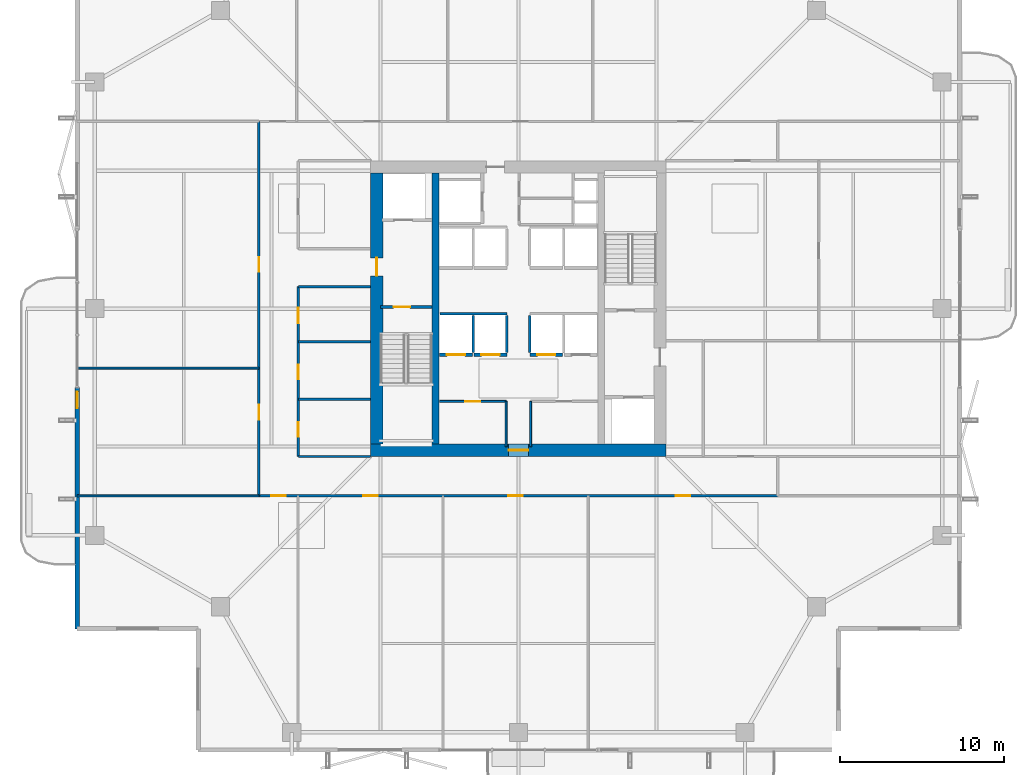
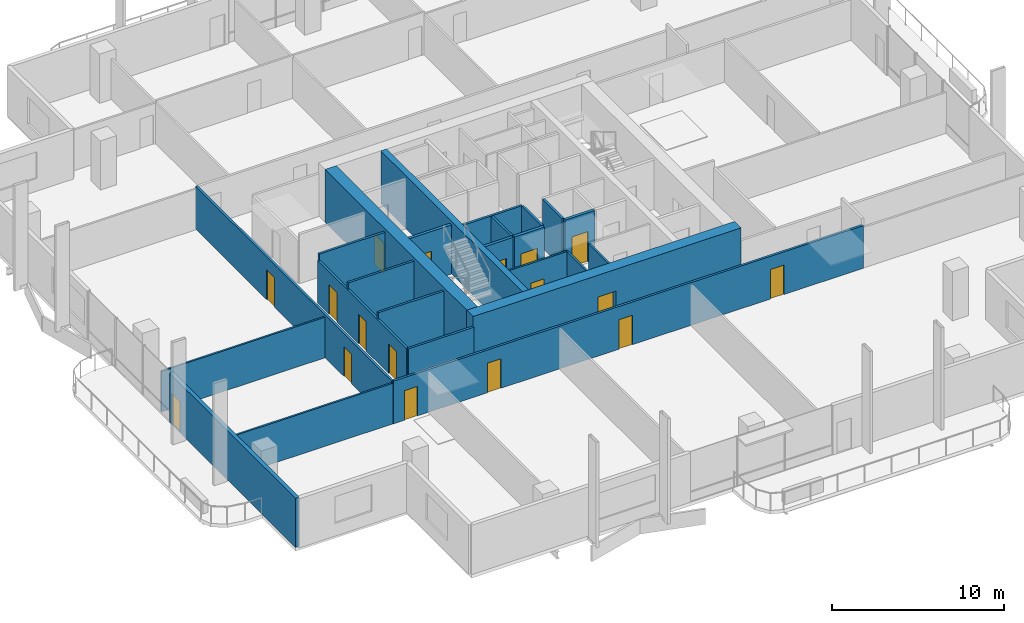
# One storey, part 17 of 24: 24 walls, 17 doors, 17 openings.
"""IFC4 building model written with IfcOpenShell, lengths in metres."""

from ifc_helpers import new_model, si_unit, direction, frame, frame_2d, origin, place, context, subcontext, project, spatial, rectangle, extrude, material, layer, layer_set, type_object, element, fill, save


model = new_model("IFC4")

# Units and contexts
model_context = context("Model", 3, precision=1e-05, world=origin(), true_north=direction((0.0, 1.0)))
body_context = subcontext(model_context, "Body", "Model", "MODEL_VIEW")
ifc_project = project(units=[si_unit("LENGTHUNIT", "METRE"), si_unit("AREAUNIT", "SQUARE_METRE"), si_unit("VOLUMEUNIT", "CUBIC_METRE"), si_unit("PLANEANGLEUNIT", "RADIAN"), si_unit("MASSUNIT", "GRAM", prefix="KILO")], contexts=[model_context])

# Site, building, storey
site_placement = place(None, origin())
site = spatial("IfcSite", under=ifc_project, at=site_placement, CompositionType="ELEMENT")
building_placement = place(site_placement, origin())
building = spatial("IfcBuilding", under=site, at=building_placement, Name="Belovzor Exchange Tower", CompositionType="ELEMENT")
storey_placement = place(building_placement, frame((0.0, 0.0, 233.699951171875)))
storey = spatial("IfcBuildingStorey", under=building, at=storey_placement, Name="L58", CompositionType="ELEMENT", Elevation=233.699951171875)

# Walls
ifc_material_1 = material(Name="Acoustic Plasterboard on Galvanised Studs", Category="gypsum")
ifc_layer_1 = layer(ifc_material_1, 0.1201171875)
ifc_layer_set_1 = layer_set([ifc_layer_1], Name="Acoustic Plasterboard on Galvanised Studs")
wall_type_1 = type_object("IfcWallType", Name="Acoustic Double-Stud Partition Wall 120", PredefinedType="PARTITIONING", material=ifc_layer_set_1)
for number, where, z_axis, x_axis, name in (
    (1, (1.929931640625, 25.181884765625, 0.0), (0.0, 0.0, 1.0), (1.0, 0.0, 0.0), "W-P120 Partition Wall W-L58-WDIV-1"),
    (2, (1.929931640625, 17.39990234375, 0.0), (0.0, 0.0, 1.0), (1.0, 0.0, 0.0), "W-P120 Partition Wall W-L58-END-SW"),
):
    element("IfcWall", number, at=place(storey_placement, frame(where, z_axis=z_axis, x_axis=x_axis)), inside=storey, type_object=wall_type_1, Name=name, PredefinedType="PARTITIONING", context=body_context, shape_type="SweptSolid", body=[
        extrude(rectangle(XDim=11.070068359375, YDim=0.1201171875, at=frame_2d((5.53515625, 0.0))), origin(), (0.0, 0.0, 1.0), 2.885009765625),
    ])

# Wall, opening, door
ifc_material_2 = material(Name="Fire-Rated Plasterboard on Galvanised Studs", Category="gypsum")
ifc_layer_2 = layer(ifc_material_2, 0.1201171875)
ifc_layer_set_2 = layer_set([ifc_layer_2], Name="Fire-Rated Plasterboard on Galvanised Studs")
wall_type_2 = type_object("IfcWallType", Name="Fire-Rated Double-Stud Partition Wall 120", PredefinedType="PARTITIONING", material=ifc_layer_set_2)
wall_1_placement = place(storey_placement, frame((24.0, 23.14990234375, 0.0), z_axis=(0.0, 0.0, 1.0), x_axis=(1.0, 0.0, 0.0)))
wall_1 = element("IfcWall", 3, at=wall_1_placement, inside=storey, type_object=wall_type_2, Name="W-P120F Partition Wall W-CRL-L58-WN", PredefinedType="PARTITIONING", context=body_context, shape_type="SweptSolid", body=[
    extrude(rectangle(XDim=4.050048828125, YDim=0.1201171875, at=frame_2d((2.02490234375, 0.0))), origin(), (0.0, 0.0, 1.0), 3.5),
])
opening_1_placement = place(wall_1_placement, frame((1.574951171875, 0.0, 0.0)))
opening_1 = element("IfcOpeningElement", 4, at=opening_1_placement, cuts=wall_1, Name="Opening D-FD60-090", PredefinedType="OPENING", context=body_context, shape_type="SweptSolid", body=[
    extrude(rectangle(XDim=0.89990234375, YDim=2.10009765625, at=frame_2d((0.449951171875, 1.050048828125))), frame((0.0, 0.070068359375, 0.0), z_axis=(0.0, -1.0, 0.0), x_axis=(1.0, 0.0, 0.0)), (0.0, 0.0, 1.0), 0.14013671875),
])
ifc_material_3 = material(Name="Acoustic Timber Fire Leaf", Category="wood")
door_type_1 = type_object("IfcDoorType", Name="Core Service & Restroom Fire Door 900x2100", OperationType="NOTDEFINED", PredefinedType="DOOR", material=ifc_material_3)
door_1_placement = place(opening_1_placement, origin())
door_1 = element("IfcDoor", 5, at=door_1_placement, inside=storey, type_object=door_type_1, Name="D-FD60-090 Core Service & Restroom Fire Door 900x2100", OperationType="SINGLE_SWING_LEFT", OverallHeight=2.10009765625, OverallWidth=0.89990234375, PredefinedType="DOOR", context=body_context, shape_type="SweptSolid", body=[
    extrude(rectangle(XDim=0.89990234375, YDim=2.10009765625, at=frame_2d((0.449951171875, 1.050048828125))), frame((0.0, 0.02490234375, 0.0), z_axis=(0.0, -1.0, 0.0), x_axis=(1.0, 0.0, 0.0)), (0.0, 0.0, 1.0), 0.050048828125),
])
fill(opening_1, door_1)

# Walls
for number, where, z_axis, x_axis, name in (
    (6, (28.050048828125, 20.39990234375, 0.0), (0.0, 0.0, 1.0), (0.0, 1.0, 0.0), "W-P120F Partition Wall W-CRL-L58-WE"),
    (7, (29.550048828125, 20.39990234375, 0.0), (0.0, 0.0, 1.0), (0.0, 1.0, 0.0), "W-P120F Partition Wall W-CRL-L58-EW"),
):
    element("IfcWall", number, at=place(storey_placement, frame(where, z_axis=z_axis, x_axis=x_axis)), inside=storey, type_object=wall_type_2, Name=name, PredefinedType="PARTITIONING", context=body_context, shape_type="SweptSolid", body=[
        extrude(rectangle(XDim=2.75, YDim=0.1201171875, at=frame_2d((1.375, 0.0))), origin(), (0.0, 0.0, 1.0), 3.5),
    ])
ifc_material_4 = material(Name="Fire-Rated Gypsum Block and Mineral Wool", Category="gypsum")
ifc_layer_3 = layer(ifc_material_4, 0.14990234375)
ifc_layer_set_3 = layer_set([ifc_layer_3], Name="Fire-Rated Gypsum Block and Mineral Wool")
wall_type_3 = type_object("IfcWallType", Name="Fire-Rated Gypsum Block Corridor Wall 150", PredefinedType="PARTITIONING", material=ifc_layer_set_3)
wall_2_placement = place(storey_placement, frame((15.39990234375, 19.800048828125, 0.0), z_axis=(0.0, 0.0, 1.0), x_axis=(1.0, 0.0, 0.0)))
element("IfcWall", 8, at=wall_2_placement, inside=storey, type_object=wall_type_3, Name="W-P150 Partition Wall W-L58-WIC-S", PredefinedType="PARTITIONING", context=body_context, shape_type="SweptSolid", body=[
    extrude(rectangle(XDim=4.400146484375, YDim=0.14990234375, at=frame_2d((2.2001953125, 0.0))), origin(), (0.0, 0.0, 1.0), 3.03515625),
])
for number, where, z_axis, x_axis, name in (
    (9, (15.39990234375, 23.27490234375, 0.0), (0.0, 0.0, 1.0), (1.0, 0.0, 0.0), "W-P150 Partition Wall W-L58-WIC-D1"),
    (10, (15.39990234375, 26.77490234375, 0.0), (0.0, 0.0, 1.0), (1.0, 0.0, 0.0), "W-P150 Partition Wall W-L58-WIC-D2"),
    (11, (15.39990234375, 30.14990234375, 0.0), (0.0, 0.0, 1.0), (1.0, 0.0, 0.0), "W-P150 Partition Wall W-L58-WIC-N"),
):
    element("IfcWall", number, at=place(storey_placement, frame(where, z_axis=z_axis, x_axis=x_axis)), inside=storey, type_object=wall_type_3, Name=name, PredefinedType="PARTITIONING", context=body_context, shape_type="SweptSolid", body=[
        extrude(rectangle(XDim=4.400146484375, YDim=0.14990234375, at=frame_2d((2.2001953125, 0.0))), origin(), (0.0, 0.0, 1.0), 3.5),
    ])

# Wall, openings, doors
wall_3_placement = place(storey_placement, frame((15.39990234375, 19.800048828125, 0.0), z_axis=(0.0, 0.0, 1.0), x_axis=(0.0, 1.0, 0.0)))
wall_3 = element("IfcWall", 12, at=wall_3_placement, inside=storey, type_object=wall_type_3, Name="W-P150 Partition Wall W-L58-WIE-S", PredefinedType="PARTITIONING", context=body_context, shape_type="SweptSolid", body=[
    extrude(rectangle(XDim=10.349853515625, YDim=0.14990234375, at=frame_2d((5.1748046875, 0.0))), origin(), (0.0, 0.0, 1.0), 3.03515625),
])
opening_2_placement = place(wall_3_placement, frame((1.199951171875, 0.0, 0.0)))
opening_2 = element("IfcOpeningElement", 13, at=opening_2_placement, cuts=wall_3, Name="Opening D-FD60-090", PredefinedType="OPENING", context=body_context, shape_type="SweptSolid", body=[
    extrude(rectangle(XDim=0.89990234375, YDim=2.10009765625, at=frame_2d((0.449951171875, 1.050048828125))), frame((0.0, 0.0849609375, 0.0), z_axis=(0.0, -1.0, 0.0), x_axis=(1.0, 0.0, 0.0)), (0.0, 0.0, 1.0), 0.169921875),
])
opening_3_placement = place(wall_3_placement, frame((4.699951171875, 0.0, 0.0)))
opening_3 = element("IfcOpeningElement", 14, at=opening_3_placement, cuts=wall_3, Name="Opening D-FD60-090", PredefinedType="OPENING", context=body_context, shape_type="SweptSolid", body=[
    extrude(rectangle(XDim=0.89990234375, YDim=2.10009765625, at=frame_2d((0.449951171875, 1.050048828125))), frame((0.0, 0.0849609375, 0.0), z_axis=(0.0, -1.0, 0.0), x_axis=(1.0, 0.0, 0.0)), (0.0, 0.0, 1.0), 0.169921875),
])
opening_4_placement = place(wall_3_placement, frame((8.10009765625, 0.0, 0.0)))
opening_4 = element("IfcOpeningElement", 15, at=opening_4_placement, cuts=wall_3, Name="Opening D-FD60-095", PredefinedType="OPENING", context=body_context, shape_type="SweptSolid", body=[
    extrude(rectangle(XDim=0.949951171875, YDim=2.10009765625, at=frame_2d((0.47509765625, 1.050048828125))), frame((0.0, 0.0849609375, 0.0), z_axis=(0.0, -1.0, 0.0), x_axis=(1.0, 0.0, 0.0)), (0.0, 0.0, 1.0), 0.169921875),
])
ifc_material_5 = material(Name="Moisture-Resistant Timber Fire Leaf", Category="wood")
door_type_2 = type_object("IfcDoorType", Name="Accessible Restroom Wide Fire Door 950x2100", OperationType="NOTDEFINED", PredefinedType="DOOR", material=ifc_material_5)
door_2_placement = place(opening_4_placement, origin())
door_2 = element("IfcDoor", 16, at=door_2_placement, inside=storey, type_object=door_type_2, Name="D-FD60-095 Accessible Restroom Wide Fire Door 950x2100", OperationType="SINGLE_SWING_LEFT", OverallHeight=2.10009765625, OverallWidth=0.949951171875, PredefinedType="DOOR", context=body_context, shape_type="SweptSolid", body=[
    extrude(rectangle(XDim=0.949951171875, YDim=2.10009765625, at=frame_2d((0.47509765625, 1.050048828125))), frame((0.0, 0.02490234375, 0.0), z_axis=(0.0, -1.0, 0.0), x_axis=(1.0, 0.0, 0.0)), (0.0, 0.0, 1.0), 0.050048828125),
])
fill(opening_4, door_2)
door_3_placement = place(opening_2_placement, origin())
door_3 = element("IfcDoor", 17, at=door_3_placement, inside=storey, type_object=door_type_1, Name="D-FD60-090 Core Service & Restroom Fire Door 900x2100", OperationType="SINGLE_SWING_LEFT", OverallHeight=2.10009765625, OverallWidth=0.89990234375, PredefinedType="DOOR", context=body_context, shape_type="SweptSolid", body=[
    extrude(rectangle(XDim=0.89990234375, YDim=2.10009765625, at=frame_2d((0.449951171875, 1.050048828125))), frame((0.0, 0.02490234375, 0.0), z_axis=(0.0, -1.0, 0.0), x_axis=(1.0, 0.0, 0.0)), (0.0, 0.0, 1.0), 0.050048828125),
])
fill(opening_2, door_3)
door_4_placement = place(opening_3_placement, origin())
door_4 = element("IfcDoor", 18, at=door_4_placement, inside=storey, type_object=door_type_1, Name="D-FD60-090 Core Service & Restroom Fire Door 900x2100", OperationType="SINGLE_SWING_RIGHT", OverallHeight=2.10009765625, OverallWidth=0.89990234375, PredefinedType="DOOR", context=body_context, shape_type="SweptSolid", body=[
    extrude(rectangle(XDim=0.89990234375, YDim=2.10009765625, at=frame_2d((0.449951171875, 1.050048828125))), frame((0.0, 0.02490234375, 0.0), z_axis=(0.0, -1.0, 0.0), x_axis=(1.0, 0.0, 0.0)), (0.0, 0.0, 1.0), 0.050048828125),
])
fill(opening_3, door_4)

wall_4_placement = place(storey_placement, frame((13.0, 17.39990234375, 0.0), z_axis=(0.0, 0.0, 1.0), x_axis=(1.0, 0.0, 0.0)))
wall_4 = element("IfcWall", 19, at=wall_4_placement, inside=storey, type_object=wall_type_3, Name="W-P150 Partition Wall W-L58-CS", PredefinedType="PARTITIONING", context=body_context, shape_type="SweptSolid", body=[
    extrude(rectangle(XDim=31.60009765625, YDim=0.14990234375, at=frame_2d((15.800048828125, 0.0))), origin(), (0.0, 0.0, 1.0), 3.03515625),
])
opening_5_placement = place(wall_4_placement, frame((0.739013671875, 0.0, 0.0)))
opening_5 = element("IfcOpeningElement", 20, at=opening_5_placement, cuts=wall_4, Name="Opening D-INT-090", PredefinedType="OPENING", context=body_context, shape_type="SweptSolid", body=[
    extrude(rectangle(XDim=0.89990234375, YDim=2.10009765625, at=frame_2d((0.449951171875, 1.050048828125))), frame((0.0, 0.0849609375, 0.0), z_axis=(0.0, -1.0, 0.0), x_axis=(1.0, 0.0, 0.0)), (0.0, 0.0, 1.0), 0.169921875),
])
opening_6_placement = place(wall_4_placement, frame((6.343994140625, 0.0, 0.0)))
opening_6 = element("IfcOpeningElement", 21, at=opening_6_placement, cuts=wall_4, Name="Opening D-INT-090", PredefinedType="OPENING", context=body_context, shape_type="SweptSolid", body=[
    extrude(rectangle(XDim=0.89990234375, YDim=2.10009765625, at=frame_2d((0.449951171875, 1.050048828125))), frame((0.0, 0.0849609375, 0.0), z_axis=(0.0, -1.0, 0.0), x_axis=(1.0, 0.0, 0.0)), (0.0, 0.0, 1.0), 0.169921875),
])
opening_7_placement = place(wall_4_placement, frame((15.174072265625, 0.0, 0.0)))
opening_7 = element("IfcOpeningElement", 22, at=opening_7_placement, cuts=wall_4, Name="Opening D-INT-090", PredefinedType="OPENING", context=body_context, shape_type="SweptSolid", body=[
    extrude(rectangle(XDim=0.89990234375, YDim=2.10009765625, at=frame_2d((0.449951171875, 1.050048828125))), frame((0.0, 0.0849609375, 0.0), z_axis=(0.0, -1.0, 0.0), x_axis=(1.0, 0.0, 0.0)), (0.0, 0.0, 1.0), 0.169921875),
])
opening_8_placement = place(wall_4_placement, frame((25.3701171875, 0.0, 0.0)))
opening_8 = element("IfcOpeningElement", 23, at=opening_8_placement, cuts=wall_4, Name="Opening D-INT-090", PredefinedType="OPENING", context=body_context, shape_type="SweptSolid", body=[
    extrude(rectangle(XDim=0.89990234375, YDim=2.10009765625, at=frame_2d((0.449951171875, 1.050048828125))), frame((0.0, 0.0849609375, 0.0), z_axis=(0.0, -1.0, 0.0), x_axis=(1.0, 0.0, 0.0)), (0.0, 0.0, 1.0), 0.169921875),
])
ifc_material_6 = material(Name="Veneered Hardwood Acoustic Leaf", Category="wood")
door_type_3 = type_object("IfcDoorType", Name="Trading Suite Acoustic Single Door 900x2100", OperationType="NOTDEFINED", PredefinedType="DOOR", material=ifc_material_6)
door_5_placement = place(opening_5_placement, origin())
door_5 = element("IfcDoor", 24, at=door_5_placement, inside=storey, type_object=door_type_3, Name="D-INT-090 Trading Suite Acoustic Single Door 900x2100", OperationType="SINGLE_SWING_LEFT", OverallHeight=2.10009765625, OverallWidth=0.89990234375, PredefinedType="DOOR", context=body_context, shape_type="SweptSolid", body=[
    extrude(rectangle(XDim=0.89990234375, YDim=2.10009765625, at=frame_2d((0.449951171875, 1.050048828125))), frame((0.0, 0.02490234375, 0.0), z_axis=(0.0, -1.0, 0.0), x_axis=(1.0, 0.0, 0.0)), (0.0, 0.0, 1.0), 0.050048828125),
])
fill(opening_5, door_5)
door_6_placement = place(opening_6_placement, origin())
door_6 = element("IfcDoor", 25, at=door_6_placement, inside=storey, type_object=door_type_3, Name="D-INT-090 Trading Suite Acoustic Single Door 900x2100", OperationType="SINGLE_SWING_RIGHT", OverallHeight=2.10009765625, OverallWidth=0.89990234375, PredefinedType="DOOR", context=body_context, shape_type="SweptSolid", body=[
    extrude(rectangle(XDim=0.89990234375, YDim=2.10009765625, at=frame_2d((0.449951171875, 1.050048828125))), frame((0.0, 0.02490234375, 0.0), z_axis=(0.0, -1.0, 0.0), x_axis=(1.0, 0.0, 0.0)), (0.0, 0.0, 1.0), 0.050048828125),
])
fill(opening_6, door_6)
door_7_placement = place(opening_7_placement, origin())
door_7 = element("IfcDoor", 26, at=door_7_placement, inside=storey, type_object=door_type_3, Name="D-INT-090 Trading Suite Acoustic Single Door 900x2100", OperationType="SINGLE_SWING_LEFT", OverallHeight=2.10009765625, OverallWidth=0.89990234375, PredefinedType="DOOR", context=body_context, shape_type="SweptSolid", body=[
    extrude(rectangle(XDim=0.89990234375, YDim=2.10009765625, at=frame_2d((0.449951171875, 1.050048828125))), frame((0.0, 0.02490234375, 0.0), z_axis=(0.0, -1.0, 0.0), x_axis=(1.0, 0.0, 0.0)), (0.0, 0.0, 1.0), 0.050048828125),
])
fill(opening_7, door_7)
door_8_placement = place(opening_8_placement, origin())
door_8 = element("IfcDoor", 27, at=door_8_placement, inside=storey, type_object=door_type_3, Name="D-INT-090 Trading Suite Acoustic Single Door 900x2100", OperationType="SINGLE_SWING_RIGHT", OverallHeight=2.10009765625, OverallWidth=0.89990234375, PredefinedType="DOOR", context=body_context, shape_type="SweptSolid", body=[
    extrude(rectangle(XDim=0.89990234375, YDim=2.10009765625, at=frame_2d((0.449951171875, 1.050048828125))), frame((0.0, 0.02490234375, 0.0), z_axis=(0.0, -1.0, 0.0), x_axis=(1.0, 0.0, 0.0)), (0.0, 0.0, 1.0), 0.050048828125),
])
fill(opening_8, door_8)

wall_5_placement = place(storey_placement, frame((13.0, 17.39990234375, 0.0), z_axis=(0.0, 0.0, 1.0), x_axis=(0.0, 1.0, 0.0)))
wall_5 = element("IfcWall", 28, at=wall_5_placement, inside=storey, type_object=wall_type_3, Name="W-P150 Partition Wall W-L58-CWO", PredefinedType="PARTITIONING", context=body_context, shape_type="SweptSolid", body=[
    extrude(rectangle(XDim=22.800048828125, YDim=0.14990234375, at=frame_2d((11.39990234375, 0.0))), origin(), (0.0, 0.0, 1.0), 3.03515625),
])
opening_9_placement = place(wall_5_placement, frame((4.64111328125, 0.0, 0.0)))
opening_9 = element("IfcOpeningElement", 29, at=opening_9_placement, cuts=wall_5, Name="Opening D-INT-090", PredefinedType="OPENING", context=body_context, shape_type="SweptSolid", body=[
    extrude(rectangle(XDim=0.89990234375, YDim=2.10009765625, at=frame_2d((0.449951171875, 1.050048828125))), frame((0.0, 0.0849609375, 0.0), z_axis=(0.0, -1.0, 0.0), x_axis=(1.0, 0.0, 0.0)), (0.0, 0.0, 1.0), 0.169921875),
])
opening_10_placement = place(wall_5_placement, frame((13.64111328125, 0.0, 0.0)))
opening_10 = element("IfcOpeningElement", 30, at=opening_10_placement, cuts=wall_5, Name="Opening D-INT-090", PredefinedType="OPENING", context=body_context, shape_type="SweptSolid", body=[
    extrude(rectangle(XDim=0.89990234375, YDim=2.10009765625, at=frame_2d((0.449951171875, 1.050048828125))), frame((0.0, 0.0849609375, 0.0), z_axis=(0.0, -1.0, 0.0), x_axis=(1.0, 0.0, 0.0)), (0.0, 0.0, 1.0), 0.169921875),
])
door_9_placement = place(opening_9_placement, origin())
door_9 = element("IfcDoor", 31, at=door_9_placement, inside=storey, type_object=door_type_3, Name="D-INT-090 Trading Suite Acoustic Single Door 900x2100", OperationType="SINGLE_SWING_LEFT", OverallHeight=2.10009765625, OverallWidth=0.89990234375, PredefinedType="DOOR", context=body_context, shape_type="SweptSolid", body=[
    extrude(rectangle(XDim=0.89990234375, YDim=2.10009765625, at=frame_2d((0.449951171875, 1.050048828125))), frame((0.0, 0.02490234375, 0.0), z_axis=(0.0, -1.0, 0.0), x_axis=(1.0, 0.0, 0.0)), (0.0, 0.0, 1.0), 0.050048828125),
])
fill(opening_9, door_9)
door_10_placement = place(opening_10_placement, origin())
door_10 = element("IfcDoor", 32, at=door_10_placement, inside=storey, type_object=door_type_3, Name="D-INT-090 Trading Suite Acoustic Single Door 900x2100", OperationType="SINGLE_SWING_LEFT", OverallHeight=2.10009765625, OverallWidth=0.89990234375, PredefinedType="DOOR", context=body_context, shape_type="SweptSolid", body=[
    extrude(rectangle(XDim=0.89990234375, YDim=2.10009765625, at=frame_2d((0.449951171875, 1.050048828125))), frame((0.0, 0.02490234375, 0.0), z_axis=(0.0, -1.0, 0.0), x_axis=(1.0, 0.0, 0.0)), (0.0, 0.0, 1.0), 0.050048828125),
])
fill(opening_10, door_10)

# Wall, opening, door
ifc_material_7 = material(Name="Precast concrete C40/50", Category="concrete")
ifc_layer_4 = layer(ifc_material_7, 0.260009765625)
ifc_layer_set_4 = layer_set([ifc_layer_4], Name="Precast concrete C40/50")
wall_type_4 = type_object("IfcWallType", Name="Precast Concrete Perimeter Loggia Frame Wall 260", PredefinedType="SOLIDWALL", material=ifc_layer_set_4)
wall_6_placement = place(storey_placement, frame((1.929931640625, 9.300048828125, 0.0), z_axis=(0.0, 0.0, 1.0), x_axis=(0.0, 1.0, 0.0)))
wall_6 = element("IfcWall", 33, at=wall_6_placement, inside=storey, type_object=wall_type_4, Name="W-EXT260 Precast Concrete Perimeter Loggia Frame Wall 260 L58", PredefinedType="SOLIDWALL", context=body_context, shape_type="SweptSolid", body=[
    extrude(rectangle(XDim=14.699951171875, YDim=0.260009765625, at=frame_2d((7.35009765625, 0.0))), origin(), (0.0, 0.0, 1.0), 3.5),
])
opening_11_placement = place(wall_6_placement, frame((13.449951171875, 0.0, 0.0)))
opening_11 = element("IfcOpeningElement", 34, at=opening_11_placement, cuts=wall_6, Name="Opening D-BAL100", PredefinedType="OPENING", context=body_context, shape_type="SweptSolid", body=[
    extrude(rectangle(XDim=1.0, YDim=2.199951171875, at=frame_2d((0.5, 1.10009765625))), frame((0.0, 0.139892578125, 0.0), z_axis=(0.0, -1.0, 0.0), x_axis=(1.0, 0.0, 0.0)), (0.0, 0.0, 1.0), 0.280029296875),
])
ifc_material_8 = material(Name="Thermally Broken Anodised Aluminium and Laminated Glass", Category="aluminium")
door_type_4 = type_object("IfcDoorType", Name="Planted Loggia Terrace Glazed Door 1000x2200", OperationType="SINGLE_SWING_LEFT", PredefinedType="DOOR", material=ifc_material_8)
door_11_placement = place(opening_11_placement, origin())
door_11 = element("IfcDoor", 35, at=door_11_placement, inside=storey, type_object=door_type_4, Name="D-BAL100 Balcony Terrace Door L58 W", OperationType="SINGLE_SWING_RIGHT", OverallHeight=2.199951171875, OverallWidth=1.0, PredefinedType="DOOR", context=body_context, shape_type="SweptSolid", body=[
    extrude(rectangle(XDim=1.0, YDim=2.199951171875, at=frame_2d((0.5, 1.10009765625))), frame((0.0, 0.02490234375, 0.0), z_axis=(0.0, -1.0, 0.0), x_axis=(1.0, 0.0, 0.0)), (0.0, 0.0, 1.0), 0.050048828125),
])
fill(opening_11, door_11)

# Walls
ifc_material_9 = material(Name="Concrete C50/60", Category="concrete")
ifc_layer_5 = layer(ifc_material_9, 0.39990234375)
ifc_layer_set_5 = layer_set([ifc_layer_5], Name="Concrete C50/60")
wall_type_5 = type_object("IfcWallType", Name="Reinforced Concrete Core Internal Web Wall 400", PredefinedType="SHEAR", material=ifc_layer_set_5)
wall_7_placement = place(storey_placement, frame((23.75, 20.550048828125, 0.0), z_axis=(0.0, 0.0, 1.0), x_axis=(0.0, 1.0, 0.0)))
element("IfcWall", 36, at=wall_7_placement, inside=storey, type_object=wall_type_5, Name="CW-W040 Core Internal Web Wall L58 WL", PredefinedType="SHEAR", context=body_context, shape_type="SweptSolid", body=[
    extrude(rectangle(XDim=16.5, YDim=0.39990234375, at=frame_2d((8.25, 0.0))), origin(), (0.0, 0.0, 1.0), 3.75),
])
ifc_material_10 = material(Name="Concrete C50/60", Category="concrete")
ifc_layer_6 = layer(ifc_material_10, 0.14990234375)
ifc_layer_set_6 = layer_set([ifc_layer_6], Name="Concrete C50/60")
wall_type_6 = type_object("IfcWallType", Name="Reinforced Concrete Core Riser Shear Wall 150", PredefinedType="SHEAR", material=ifc_layer_set_6)
wall_8_placement = place(storey_placement, frame((24.02001953125, 28.5, 0.0), z_axis=(0.0, 0.0, 1.0), x_axis=(1.0, 0.0, 0.0)))
element("IfcWall", 37, at=wall_8_placement, inside=storey, type_object=wall_type_6, Name="W-C150S Core Shaft Wall W-SHB-L58-PLM-NW", PredefinedType="SHEAR", context=body_context, shape_type="SweptSolid", body=[
    extrude(rectangle(XDim=4.080078125, YDim=0.14990234375, at=frame_2d((2.0400390625, 0.0))), origin(), (0.0, 0.0, 1.0), 3.5),
])
for number, where, z_axis, x_axis, name in (
    (38, (26.050048828125, 26.1201171875, 0.0), (0.0, 0.0, 1.0), (0.0, 1.0, 0.0), "W-C150S Core Shaft Wall W-SHD-L58-PLM-1"),
    (39, (28.10009765625, 26.1201171875, 0.0), (0.0, 0.0, 1.0), (0.0, 1.0, 0.0), "W-C150S Core Shaft Wall W-SHD-L58-PLM-2"),
    (40, (29.5, 26.1201171875, 0.0), (0.0, 0.0, 1.0), (0.0, 1.0, 0.0), "W-C150S Core Shaft Wall W-SHD-L58-PLM-3"),
):
    element("IfcWall", number, at=place(storey_placement, frame(where, z_axis=z_axis, x_axis=x_axis)), inside=storey, type_object=wall_type_6, Name=name, PredefinedType="SHEAR", context=body_context, shape_type="SweptSolid", body=[
        extrude(rectangle(XDim=2.27978515625, YDim=0.14990234375, at=frame_2d((1.139892578125, 0.0))), origin(), (0.0, 0.0, 1.0), 3.5),
    ])

# Wall, opening, door
ifc_material_11 = material(Name="Concrete C50/60", Category="concrete")
ifc_layer_7 = layer(ifc_material_11, 0.199951171875)
ifc_layer_set_7 = layer_set([ifc_layer_7], Name="Concrete C50/60")
wall_type_7 = type_object("IfcWallType", Name="Reinforced Concrete Core Shaft Shear Wall 200", PredefinedType="SHEAR", material=ifc_layer_set_7)
wall_9_placement = place(storey_placement, frame((20.39990234375, 28.89990234375, 0.0), z_axis=(0.0, 0.0, 1.0), x_axis=(1.0, 0.0, 0.0)))
wall_9 = element("IfcWall", 41, at=wall_9_placement, inside=storey, type_object=wall_type_7, Name="W-C200S Core Shaft Wall W-CORE-L58-FFLW1", PredefinedType="SHEAR", context=body_context, shape_type="SweptSolid", body=[
    extrude(rectangle(XDim=3.150146484375, YDim=0.199951171875, at=frame_2d((1.5751953125, 0.0))), origin(), (0.0, 0.0, 1.0), 3.5),
])
opening_12_placement = place(wall_9_placement, frame((0.800048828125, 0.0, 0.0)))
opening_12 = element("IfcOpeningElement", 42, at=opening_12_placement, cuts=wall_9, Name="Opening D-FD90-100", PredefinedType="OPENING", context=body_context, shape_type="SweptSolid", body=[
    extrude(rectangle(XDim=1.0, YDim=2.10009765625, at=frame_2d((0.5, 1.050048828125))), frame((0.0, 0.10986328125, 0.0), z_axis=(0.0, -1.0, 0.0), x_axis=(1.0, 0.0, 0.0)), (0.0, 0.0, 1.0), 0.219970703125),
])
ifc_material_12 = material(Name="Fire-Rated Galvanised Steel Leaf", Category="steel")
door_type_5 = type_object("IfcDoorType", Name="Protected Stairwell Single Fire Door 1000x2100", OperationType="NOTDEFINED", PredefinedType="DOOR", material=ifc_material_12)
door_12_placement = place(opening_12_placement, origin())
door_12 = element("IfcDoor", 43, at=door_12_placement, inside=storey, type_object=door_type_5, Name="D-FD90-100 Protected Stairwell Single Fire Door 1000x2100", OperationType="SINGLE_SWING_RIGHT", OverallHeight=2.10009765625, OverallWidth=1.0, PredefinedType="DOOR", context=body_context, shape_type="SweptSolid", body=[
    extrude(rectangle(XDim=1.0, YDim=2.10009765625, at=frame_2d((0.5, 1.050048828125))), frame((0.0, 0.02490234375, 0.0), z_axis=(0.0, -1.0, 0.0), x_axis=(1.0, 0.0, 0.0)), (0.0, 0.0, 1.0), 0.050048828125),
])
fill(opening_12, door_12)

wall_10_placement = place(storey_placement, frame((24.0, 26.0, 0.0), z_axis=(0.0, 0.0, 1.0), x_axis=(1.0, 0.0, 0.0)))
wall_10 = element("IfcWall", 44, at=wall_10_placement, inside=storey, type_object=wall_type_7, Name="W-C200S Core Shaft Wall W-SH-L58-PL-M1", PredefinedType="SHEAR", context=body_context, shape_type="SweptSolid", body=[
    extrude(rectangle(XDim=2.0, YDim=0.199951171875, at=frame_2d((1.0, 0.0))), origin(), (0.0, 0.0, 1.0), 3.5),
])
opening_13_placement = place(wall_10_placement, frame((0.449951171875, 0.0, 0.0)))
opening_13 = element("IfcOpeningElement", 45, at=opening_13_placement, cuts=wall_10, Name="Opening LD-110", PredefinedType="OPENING", context=body_context, shape_type="SweptSolid", body=[
    extrude(rectangle(XDim=1.10009765625, YDim=2.14990234375, at=frame_2d((0.550048828125, 1.074951171875))), frame((0.0, 0.10986328125, 0.0), z_axis=(0.0, -1.0, 0.0), x_axis=(1.0, 0.0, 0.0)), (0.0, 0.0, 1.0), 0.219970703125),
])
ifc_material_13 = material(Name="Stainless Steel Grade 304", Category="steel")
door_type_6 = type_object("IfcDoorType", Name="Automated Stainless Steel Lift Landing Door 1100x2150", OperationType="SLIDING_TO_RIGHT", PredefinedType="DOOR", material=ifc_material_13)
door_13_placement = place(opening_13_placement, origin())
door_13 = element("IfcDoor", 46, at=door_13_placement, inside=storey, type_object=door_type_6, Name="LD-110 Automated Stainless Steel Lift Landing Door 1100x2150", OperationType="SLIDING_TO_RIGHT", OverallHeight=2.14990234375, OverallWidth=1.10009765625, PredefinedType="DOOR", context=body_context, shape_type="SweptSolid", body=[
    extrude(rectangle(XDim=1.10009765625, YDim=2.14990234375, at=frame_2d((0.550048828125, 1.074951171875))), frame((0.0, 0.02490234375, 0.0), z_axis=(0.0, -1.0, 0.0), x_axis=(1.0, 0.0, 0.0)), (0.0, 0.0, 1.0), 0.050048828125),
])
fill(opening_13, door_13)

wall_11_placement = place(storey_placement, frame((26.10009765625, 26.0, 0.0), z_axis=(0.0, 0.0, 1.0), x_axis=(1.0, 0.0, 0.0)))
wall_11 = element("IfcWall", 47, at=wall_11_placement, inside=storey, type_object=wall_type_7, Name="W-C200S Core Shaft Wall W-SH-L58-PL-M2", PredefinedType="SHEAR", context=body_context, shape_type="SweptSolid", body=[
    extrude(rectangle(XDim=2.0, YDim=0.199951171875, at=frame_2d((1.0, 0.0))), origin(), (0.0, 0.0, 1.0), 3.5),
])
opening_14_placement = place(wall_11_placement, frame((0.449951171875, 0.0, 0.0)))
opening_14 = element("IfcOpeningElement", 48, at=opening_14_placement, cuts=wall_11, Name="Opening LD-110", PredefinedType="OPENING", context=body_context, shape_type="SweptSolid", body=[
    extrude(rectangle(XDim=1.10009765625, YDim=2.14990234375, at=frame_2d((0.550048828125, 1.074951171875))), frame((0.0, 0.10986328125, 0.0), z_axis=(0.0, -1.0, 0.0), x_axis=(1.0, 0.0, 0.0)), (0.0, 0.0, 1.0), 0.219970703125),
])
door_14_placement = place(opening_14_placement, origin())
door_14 = element("IfcDoor", 49, at=door_14_placement, inside=storey, type_object=door_type_6, Name="LD-110 Automated Stainless Steel Lift Landing Door 1100x2150", OperationType="SLIDING_TO_RIGHT", OverallHeight=2.14990234375, OverallWidth=1.10009765625, PredefinedType="DOOR", context=body_context, shape_type="SweptSolid", body=[
    extrude(rectangle(XDim=1.10009765625, YDim=2.14990234375, at=frame_2d((0.550048828125, 1.074951171875))), frame((0.0, 0.02490234375, 0.0), z_axis=(0.0, -1.0, 0.0), x_axis=(1.0, 0.0, 0.0)), (0.0, 0.0, 1.0), 0.050048828125),
])
fill(opening_14, door_14)

wall_12_placement = place(storey_placement, frame((29.5, 26.0, 0.0), z_axis=(0.0, 0.0, 1.0), x_axis=(1.0, 0.0, 0.0)))
wall_12 = element("IfcWall", 50, at=wall_12_placement, inside=storey, type_object=wall_type_7, Name="W-C200S Core Shaft Wall W-SH-L58-PL-M3", PredefinedType="SHEAR", context=body_context, shape_type="SweptSolid", body=[
    extrude(rectangle(XDim=2.0, YDim=0.199951171875, at=frame_2d((1.0, 0.0))), origin(), (0.0, 0.0, 1.0), 3.5),
])
opening_15_placement = place(wall_12_placement, frame((0.449951171875, 0.0, 0.0)))
opening_15 = element("IfcOpeningElement", 51, at=opening_15_placement, cuts=wall_12, Name="Opening LD-110", PredefinedType="OPENING", context=body_context, shape_type="SweptSolid", body=[
    extrude(rectangle(XDim=1.10009765625, YDim=2.14990234375, at=frame_2d((0.550048828125, 1.074951171875))), frame((0.0, 0.10986328125, 0.0), z_axis=(0.0, -1.0, 0.0), x_axis=(1.0, 0.0, 0.0)), (0.0, 0.0, 1.0), 0.219970703125),
])
door_15_placement = place(opening_15_placement, origin())
door_15 = element("IfcDoor", 52, at=door_15_placement, inside=storey, type_object=door_type_6, Name="LD-110 Automated Stainless Steel Lift Landing Door 1100x2150", OperationType="SLIDING_TO_RIGHT", OverallHeight=2.14990234375, OverallWidth=1.10009765625, PredefinedType="DOOR", context=body_context, shape_type="SweptSolid", body=[
    extrude(rectangle(XDim=1.10009765625, YDim=2.14990234375, at=frame_2d((0.550048828125, 1.074951171875))), frame((0.0, 0.02490234375, 0.0), z_axis=(0.0, -1.0, 0.0), x_axis=(1.0, 0.0, 0.0)), (0.0, 0.0, 1.0), 0.050048828125),
])
fill(opening_15, door_15)

ifc_material_14 = material(Name="Concrete C50/60", Category="concrete")
ifc_layer_8 = layer(ifc_material_14, 0.75)
ifc_layer_set_8 = layer_set([ifc_layer_8], Name="Concrete C50/60")
wall_type_8 = type_object("IfcWallType", Name="Reinforced Concrete Core Shear Wall 750", PredefinedType="SHEAR", material=ifc_layer_set_8)
wall_13_placement = place(storey_placement, frame((19.800048828125, 20.175048828125, 0.0), z_axis=(0.0, 0.0, 1.0), x_axis=(1.0, 0.0, 0.0)))
wall_13 = element("IfcWall", 53, at=wall_13_placement, inside=storey, type_object=wall_type_8, Name="CW-S075 Core Shear Wall L58 S", PredefinedType="SHEAR", context=body_context, shape_type="SweptSolid", body=[
    extrude(rectangle(XDim=18.0, YDim=0.75, at=frame_2d((9.0, 0.0))), origin(), (0.0, 0.0, 1.0), 3.75),
])
opening_16_placement = place(wall_13_placement, frame((8.39990234375, 0.0, 0.0)))
opening_16 = element("IfcOpeningElement", 54, at=opening_16_placement, cuts=wall_13, Name="Opening D-FD90-120", PredefinedType="OPENING", context=body_context, shape_type="SweptSolid", body=[
    extrude(rectangle(XDim=1.199951171875, YDim=2.199951171875, at=frame_2d((0.60009765625, 1.10009765625))), frame((0.0, 0.385009765625, 0.0), z_axis=(0.0, -1.0, 0.0), x_axis=(1.0, 0.0, 0.0)), (0.0, 0.0, 1.0), 0.77001953125),
])
ifc_material_15 = material(Name="Fire-Rated Galvanised Steel Leaf", Category="steel")
door_type_7 = type_object("IfcDoorType", Name="Heavy Plant & Foyer Fire Door 1200x2200", OperationType="NOTDEFINED", PredefinedType="DOOR", material=ifc_material_15)
door_16_placement = place(opening_16_placement, origin())
door_16 = element("IfcDoor", 55, at=door_16_placement, inside=storey, type_object=door_type_7, Name="D-FD90-120 Heavy Plant & Foyer Fire Door 1200x2200", OperationType="SINGLE_SWING_LEFT", OverallHeight=2.199951171875, OverallWidth=1.199951171875, PredefinedType="DOOR", context=body_context, shape_type="SweptSolid", body=[
    extrude(rectangle(XDim=1.199951171875, YDim=2.199951171875, at=frame_2d((0.60009765625, 1.10009765625))), frame((0.0, 0.02490234375, 0.0), z_axis=(0.0, -1.0, 0.0), x_axis=(1.0, 0.0, 0.0)), (0.0, 0.0, 1.0), 0.050048828125),
])
fill(opening_16, door_16)

wall_14_placement = place(storey_placement, frame((20.175048828125, 20.550048828125, 0.0), z_axis=(0.0, 0.0, 1.0), x_axis=(0.0, 1.0, 0.0)))
wall_14 = element("IfcWall", 56, at=wall_14_placement, inside=storey, type_object=wall_type_8, Name="CW-S075 Core Shear Wall L58 W", PredefinedType="SHEAR", context=body_context, shape_type="SweptSolid", body=[
    extrude(rectangle(XDim=16.5, YDim=0.75, at=frame_2d((8.25, 0.0))), origin(), (0.0, 0.0, 1.0), 3.75),
])
opening_17_placement = place(wall_14_placement, frame((10.25, 0.0, 0.0)))
opening_17 = element("IfcOpeningElement", 57, at=opening_17_placement, cuts=wall_14, Name="Opening D-FD90-110", PredefinedType="OPENING", context=body_context, shape_type="SweptSolid", body=[
    extrude(rectangle(XDim=1.10009765625, YDim=2.14990234375, at=frame_2d((0.550048828125, 1.074951171875))), frame((0.0, 0.385009765625, 0.0), z_axis=(0.0, -1.0, 0.0), x_axis=(1.0, 0.0, 0.0)), (0.0, 0.0, 1.0), 0.77001953125),
])
ifc_material_16 = material(Name="Fire-Rated Galvanised Steel Leaf", Category="steel")
door_type_8 = type_object("IfcDoorType", Name="Protected Escape Vestibule Fire Door 1100x2150", OperationType="NOTDEFINED", PredefinedType="DOOR", material=ifc_material_16)
door_17_placement = place(opening_17_placement, origin())
door_17 = element("IfcDoor", 58, at=door_17_placement, inside=storey, type_object=door_type_8, Name="D-FD90-110 Protected Escape Vestibule Fire Door 1100x2150", OperationType="SINGLE_SWING_LEFT", OverallHeight=2.14990234375, OverallWidth=1.10009765625, PredefinedType="DOOR", context=body_context, shape_type="SweptSolid", body=[
    extrude(rectangle(XDim=1.10009765625, YDim=2.14990234375, at=frame_2d((0.550048828125, 1.074951171875))), frame((0.0, 0.02490234375, 0.0), z_axis=(0.0, -1.0, 0.0), x_axis=(1.0, 0.0, 0.0)), (0.0, 0.0, 1.0), 0.050048828125),
])
fill(opening_17, door_17)

save(model, "model.ifc")
